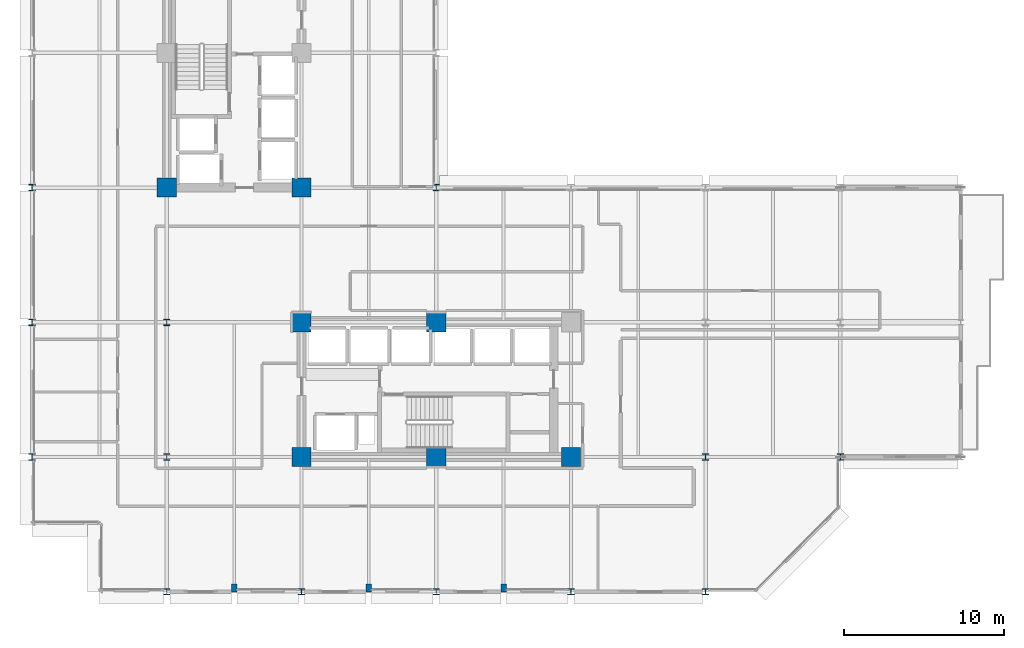
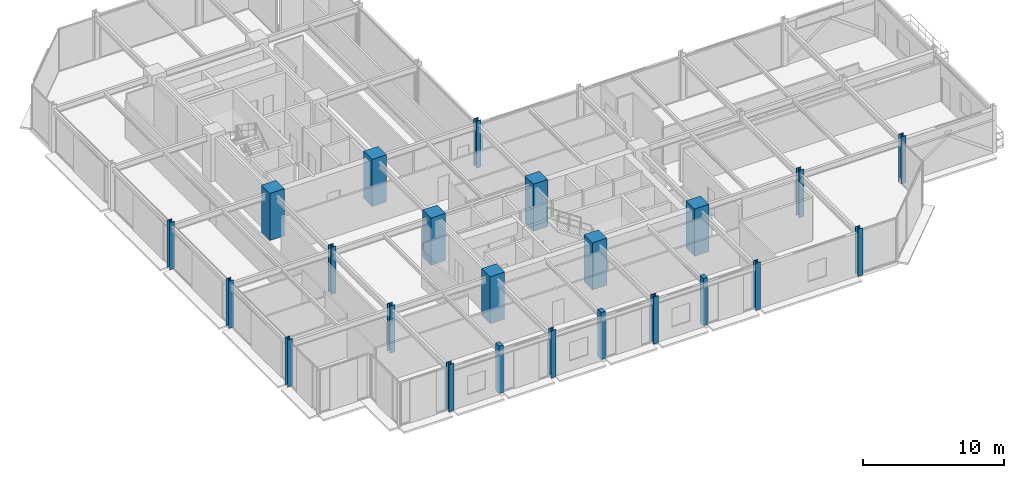
# One storey, part 1 of 40: 23 columns.
"""IFC4 building model written with IfcOpenShell, lengths in metres."""

import ifcopenshell
import ifcopenshell.guid

model = None  # the IFC model being written
_history = None  # IfcOwnerHistory: only IFC2X3 demands one
_inside = {}  # id of a spatial element -> (the spatial element, [elements in it])
_under = {}  # id of a project, library or spatial element -> (it, [spatial elements below it])
_declared = {}  # id of a project -> (the project, [libraries it declares])
_typed = {}  # id of a type object -> (the type object, [elements of that type])
_made_of = {}  # id of a material, layer set ... -> (it, [elements and type objects made of it])


def new_model(schema):
    """Start an empty IFC model of exactly this schema.

    Asked for "IFC4X3", IfcOpenShell would pick the latest addendum, in which some entities
    have other attributes; the version numbers below select the first issue.
    IFC2X3 requires an IfcOwnerHistory on every rooted entity: one is made here for all.
    """
    global model, _history
    if schema == "IFC4X3":
        model = ifcopenshell.file(schema_version=(4, 3, 0, 0))
    else:
        model = ifcopenshell.file(schema=schema)
    _inside.clear()
    _under.clear()
    _declared.clear()
    _typed.clear()
    _made_of.clear()
    _history = None
    if model.schema == "IFC2X3":
        org = make("IfcOrganization", Name="unknown")
        user = make(
            "IfcPersonAndOrganization",
            ThePerson=make("IfcPerson", FamilyName="unknown"),
            TheOrganization=org,
        )
        app = make(
            "IfcApplication",
            ApplicationDeveloper=org,
            Version="unknown",
            ApplicationFullName="unknown",
            ApplicationIdentifier="unknown",
        )
        _history = make(
            "IfcOwnerHistory",
            OwningUser=user,
            OwningApplication=app,
            ChangeAction="ADDED",
            CreationDate=0,
        )
    return model


def make(cls, **values):
    """One entity of the class cls with the attributes given. An attribute that is None is left unset."""
    return model.create_entity(
        cls, **{name: value for name, value in values.items() if value is not None}
    )


def rooted(cls, **values):
    """An entity with a GlobalId (a new one), such as an element, a storey or a relation."""
    return make(cls, GlobalId=ifcopenshell.guid.new(), OwnerHistory=_history, **values)


def si_unit(unit_type, name, prefix=None):
    """IfcSIUnit, for example si_unit("LENGTHUNIT", "METRE", prefix="MILLI")."""
    return make("IfcSIUnit", UnitType=unit_type, Prefix=prefix, Name=name)


def assignment(units):
    """IfcUnitAssignment: the units of a project."""
    return None if units is None else make("IfcUnitAssignment", Units=units)


def point(xyz):
    """IfcCartesianPoint."""
    return None if xyz is None else make("IfcCartesianPoint", Coordinates=xyz)


def direction(xyz):
    """IfcDirection."""
    return None if xyz is None else make("IfcDirection", DirectionRatios=xyz)


def frame(location, z_axis=None, x_axis=None):
    """IfcAxis2Placement3D, a coordinate frame: its origin and axes. An axis left out is left unset."""
    return make(
        "IfcAxis2Placement3D",
        Location=point(location),
        Axis=direction(z_axis),
        RefDirection=direction(x_axis),
    )


def frame_2d(location, x_axis=None):
    """IfcAxis2Placement2D, a coordinate frame in the plane: its origin and x axis."""
    return make(
        "IfcAxis2Placement2D", Location=point(location), RefDirection=direction(x_axis)
    )


def origin():
    """The frame at (0, 0, 0) with its axes left unset."""
    return frame((0.0, 0.0, 0.0))


def origin_2d():
    """The frame at (0, 0) in the plane with its x axis left unset."""
    return frame_2d((0.0, 0.0))


def place(relative_to, where):
    """IfcLocalPlacement: puts the frame where relative to a parent placement (None: the world)."""
    return make(
        "IfcLocalPlacement", PlacementRelTo=relative_to, RelativePlacement=where
    )


def context(
    kind, dimensions, precision=None, world=None, true_north=None, identifier=None
):
    """IfcGeometricRepresentationContext, for example the 3D "Model" context."""
    return make(
        "IfcGeometricRepresentationContext",
        ContextIdentifier=identifier,
        ContextType=kind,
        CoordinateSpaceDimension=dimensions,
        Precision=precision,
        WorldCoordinateSystem=world,
        TrueNorth=true_north,
    )


def subcontext(parent, identifier, kind, view, scale=None):
    """IfcGeometricRepresentationSubContext, for example "Body" below "Model"."""
    return make(
        "IfcGeometricRepresentationSubContext",
        ContextIdentifier=identifier,
        ContextType=kind,
        ParentContext=parent,
        TargetScale=scale,
        TargetView=view,
    )


def project(units=None, contexts=None):
    """IfcProject with its units and contexts."""
    return rooted(
        "IfcProject",
        Name="project",
        RepresentationContexts=contexts,
        UnitsInContext=assignment(units),
    )


def spatial(cls, under=None, at=None, **own):
    """A site, building, storey or space (cls), placed at a placement, below another one or the project."""
    s = rooted(cls, ObjectPlacement=at, **own)
    if under is not None:
        _under.setdefault(under.id(), (under, []))[1].append(s)
    return s


def profile(cls, at=None, kind="AREA", **sizes):
    """A parametric profile (cls). Its sizes go by their IFC names, for example OverallWidth=200.0."""
    return make(cls, ProfileType=kind, Position=at, **sizes)


def rectangle(**sizes):
    """IfcRectangleProfileDef."""
    return profile("IfcRectangleProfileDef", **sizes)


def i_section(**sizes):
    """IfcIShapeProfileDef."""
    return profile("IfcIShapeProfileDef", **sizes)


def extrude(swept, where, along, depth):
    """IfcExtrudedAreaSolid: the profile swept, set in the frame where, extruded along a direction by depth."""
    return make(
        "IfcExtrudedAreaSolid",
        SweptArea=swept,
        Position=where,
        ExtrudedDirection=direction(along),
        Depth=depth,
    )


def shape(context_of_items, identifier, shape_type, items):
    """IfcShapeRepresentation: the items that make up one representation, for example the "Body"."""
    return make(
        "IfcShapeRepresentation",
        ContextOfItems=context_of_items,
        RepresentationIdentifier=identifier,
        RepresentationType=shape_type,
        Items=items,
    )


def material(Name=None, Category=None):
    """IfcMaterial."""
    return make("IfcMaterial", Name=Name, Category=Category)


def material_profile(
    of_material, cross_section, Name=None, Category=None, Priority=None
):
    """IfcMaterialProfile: a cross section and its material."""
    return make(
        "IfcMaterialProfile",
        Name=Name,
        Material=of_material,
        Profile=cross_section,
        Priority=Priority,
        Category=Category,
    )


def profile_set(profiles, Name=None, composite=None):
    """IfcMaterialProfileSet."""
    return make(
        "IfcMaterialProfileSet",
        Name=Name,
        MaterialProfiles=profiles,
        CompositeProfile=composite,
    )


def made_of(thing, what):
    """Note that an element or type object is made of a material, layer set ...; save() writes the relation."""
    if what is not None:
        _made_of.setdefault(what.id(), (what, []))[1].append(thing)
    return thing


def type_object(cls, material=None, **own):
    """A type object (cls), such as IfcWallType, which elements share."""
    return made_of(rooted(cls, **own), material)


def element(
    cls,
    number,
    at=None,
    inside=None,
    cuts=None,
    type_object=None,
    material=None,
    context=None,
    identifier="Body",
    shape_type=None,
    held_by="IfcProductDefinitionShape",
    body=None,
    shapes=None,
    **own,
):
    """One element of the class cls, such as IfcWall. Its Tag is "e" and its number.

    at: its placement. inside: the storey or other place that contains it. cuts: it is an
    opening in that element (IfcRelVoidsElement). A single representation is given by context,
    identifier, shape_type and body (its items); several are given by shapes. held_by: the class
    of the entity that holds the representations. save() writes the other relations.
    """
    e = rooted(cls, Tag="e%d" % number, ObjectPlacement=at, **own)
    if body is not None:
        shapes = [shape(context, identifier, shape_type, body)]
    if shapes is not None:
        e.Representation = make(held_by, Representations=shapes)
    if inside is not None:
        _inside.setdefault(inside.id(), (inside, []))[1].append(e)
    if cuts is not None:
        rooted(
            "IfcRelVoidsElement", RelatingBuildingElement=cuts, RelatedOpeningElement=e
        )
    if type_object is not None:
        _typed.setdefault(type_object.id(), (type_object, []))[1].append(e)
    return made_of(e, material)


def aggregate(whole, parts):
    """IfcRelAggregates: a whole, such as a stair, and the parts it consists of."""
    return rooted("IfcRelAggregates", RelatingObject=whole, RelatedObjects=parts)


def save(model, path):
    """Write the relations noted so far, then the file.

    IfcRelAggregates (storeys below a building ...), IfcRelContainedInSpatialStructure (elements
    in a storey), IfcRelDefinesByType, IfcRelAssociatesMaterial and IfcRelDeclares: one each for
    every whole, place, type object, material and project.
    """
    for whole, parts in _under.values():
        aggregate(whole, parts)
    for where, things in _inside.values():
        rooted(
            "IfcRelContainedInSpatialStructure",
            RelatedElements=things,
            RelatingStructure=where,
        )
    for kind, things in _typed.values():
        rooted("IfcRelDefinesByType", RelatedObjects=things, RelatingType=kind)
    for what, things in _made_of.values():
        rooted("IfcRelAssociatesMaterial", RelatedObjects=things, RelatingMaterial=what)
    for by, libraries in _declared.values():
        rooted("IfcRelDeclares", RelatingContext=by, RelatedDefinitions=libraries)
    model.write(path)


model = new_model("IFC4")

# Units and contexts
model_context = context("Model", 3, precision=1e-05, world=origin(), true_north=direction((0.0, 1.0)))
body_context = subcontext(model_context, "Body", "Model", "MODEL_VIEW")
ifc_project = project(units=[si_unit("LENGTHUNIT", "METRE"), si_unit("AREAUNIT", "SQUARE_METRE"), si_unit("VOLUMEUNIT", "CUBIC_METRE"), si_unit("PLANEANGLEUNIT", "RADIAN"), si_unit("MASSUNIT", "GRAM", prefix="KILO")], contexts=[model_context])

# Site, building, storey
site_placement = place(None, origin())
site = spatial("IfcSite", under=ifc_project, at=site_placement, CompositionType="ELEMENT")
building_placement = place(site_placement, origin())
building = spatial("IfcBuilding", under=site, at=building_placement, Name="Nerrivon Quay Data Exchange", CompositionType="ELEMENT")
storey_placement = place(building_placement, frame((0.0, 0.0, 109.0)))
storey = spatial("IfcBuildingStorey", under=building, at=storey_placement, Name="L25", CompositionType="ELEMENT", Elevation=109.0)

# Columns
ifc_material_1 = material(Name="Concrete S65 (65 MPa)", Category="concrete")
ifc_material_profile_1 = material_profile(ifc_material_1, rectangle(XDim=1.199951171875, YDim=1.199951171875, at=origin_2d()), Name="RC-COL-1200x1200")
ifc_profile_set_1 = profile_set([ifc_material_profile_1], Name="Concrete S65 (65 MPa)")
column_type_1 = type_object("IfcColumnType", Name="COL-C3-1200", PredefinedType="COLUMN", material=ifc_profile_set_1)
for number, where, z_axis, x_axis, name in (
    (1, (8.39990234375, 25.199951171875, 0.0), (0.0, 0.0, 1.0), (1.0, 0.0, 0.0), "L25 Column (8.4,25.2)"),
    (2, (16.800048828125, 8.39990234375, 0.0), (0.0, 0.0, 1.0), (1.0, 0.0, 0.0), "L25 Column (16.8,8.4)"),
    (3, (16.800048828125, 16.800048828125, 0.0), (0.0, 0.0, 1.0), (1.0, 0.0, 0.0), "L25 Column (16.8,16.8)"),
    (4, (16.800048828125, 25.199951171875, 0.0), (0.0, 0.0, 1.0), (1.0, 0.0, 0.0), "L25 Column (16.8,25.2)"),
    (5, (25.199951171875, 8.39990234375, 0.0), (0.0, 0.0, 1.0), (1.0, 0.0, 0.0), "L25 Column (25.2,8.4)"),
    (6, (25.199951171875, 16.800048828125, 0.0), (0.0, 0.0, 1.0), (1.0, 0.0, 0.0), "L25 Column (25.2,16.8)"),
    (7, (33.60009765625, 8.39990234375, 0.0), (0.0, 0.0, 1.0), (1.0, 0.0, 0.0), "L25 Column (33.6,8.4)"),
):
    element("IfcColumn", number, at=place(storey_placement, frame(where, z_axis=z_axis, x_axis=x_axis)), inside=storey, type_object=column_type_1, Name=name, PredefinedType="COLUMN", context=body_context, shape_type="SweptSolid", body=[
        extrude(rectangle(XDim=1.199951171875, YDim=1.199951171875, at=origin_2d()), origin(), (0.0, 0.0, 1.0), 4.10009765625),
    ])
ifc_material_2 = material(Name="Steel Grade 350", Category="steel")
ifc_material_profile_2 = material_profile(ifc_material_2, i_section(OverallWidth=0.39990234375, OverallDepth=0.39990234375, WebThickness=0.02490234375, FlangeThickness=0.0400390625, at=origin_2d()), Name="400WC328")
ifc_profile_set_2 = profile_set([ifc_material_profile_2], Name="Steel Grade 350")
column_type_2 = type_object("IfcColumnType", Name="COL-SC2-400WC", PredefinedType="COLUMN", material=ifc_profile_set_2)
for number, where, z_axis, x_axis, name in (
    (8, (0.0, 8.39990234375, 0.0), (0.0, 0.0, 1.0), (1.0, 0.0, 0.0), "L25 Column (0.0,8.4)"),
    (9, (0.0, 16.800048828125, 0.0), (0.0, 0.0, 1.0), (1.0, 0.0, 0.0), "L25 Column (0.0,16.8)"),
    (10, (0.0, 25.199951171875, 0.0), (0.0, 0.0, 1.0), (1.0, 0.0, 0.0), "L25 Column (0.0,25.2)"),
    (11, (8.39990234375, 0.0, 0.0), (0.0, 0.0, 1.0), (1.0, 0.0, 0.0), "L25 Column (8.4,0.0)"),
    (12, (8.39990234375, 8.39990234375, 0.0), (0.0, 0.0, 1.0), (1.0, 0.0, 0.0), "L25 Column (8.4,8.4)"),
    (13, (8.39990234375, 16.800048828125, 0.0), (0.0, 0.0, 1.0), (1.0, 0.0, 0.0), "L25 Column (8.4,16.8)"),
    (14, (16.800048828125, 0.0, 0.0), (0.0, 0.0, 1.0), (1.0, 0.0, 0.0), "L25 Column (16.8,0.0)"),
    (15, (25.199951171875, 0.0, 0.0), (0.0, 0.0, 1.0), (1.0, 0.0, 0.0), "L25 Column (25.2,0.0)"),
    (16, (25.199951171875, 25.199951171875, 0.0), (0.0, 0.0, 1.0), (1.0, 0.0, 0.0), "L25 Column (25.2,25.2)"),
    (17, (33.60009765625, 0.0, 0.0), (0.0, 0.0, 1.0), (1.0, 0.0, 0.0), "L25 Column (33.6,0.0)"),
    (18, (42.0, 0.0, 0.0), (0.0, 0.0, 1.0), (1.0, 0.0, 0.0), "L25 Column (42.0,0.0)"),
    (19, (42.0, 8.39990234375, 0.0), (0.0, 0.0, 1.0), (1.0, 0.0, 0.0), "L25 Column (42.0,8.4)"),
    (20, (50.39990234375, 8.39990234375, 0.0), (0.0, 0.0, 1.0), (1.0, 0.0, 0.0), "L25 Column (50.4,8.4)"),
):
    element("IfcColumn", number, at=place(storey_placement, frame(where, z_axis=z_axis, x_axis=x_axis)), inside=storey, type_object=column_type_2, Name=name, PredefinedType="COLUMN", context=body_context, shape_type="SweptSolid", body=[
        extrude(i_section(OverallWidth=0.39990234375, OverallDepth=0.39990234375, WebThickness=0.02490234375, FlangeThickness=0.0400390625, at=origin_2d()), origin(), (0.0, 0.0, 1.0), 4.10009765625),
    ])
ifc_material_3 = material(Name="Concrete N50 (50 MPa)", Category="concrete")
ifc_material_profile_3 = material_profile(ifc_material_3, rectangle(XDim=0.35009765625, YDim=0.5, at=origin_2d()), Name="RC-PIL-500x350")
ifc_profile_set_3 = profile_set([ifc_material_profile_3], Name="Concrete N50 (50 MPa)")
column_type_3 = type_object("IfcColumnType", Name="PIL-P2-500x350", PredefinedType="PILASTER", material=ifc_profile_set_3)
for number, where, z_axis, x_axis, name in (
    (21, (12.60009765625, 0.25, 0.0), (0.0, 0.0, 1.0), (1.0, 0.0, 0.0), "L25 Facade Pilaster (12.6)"),
    (22, (21.0, 0.25, 0.0), (0.0, 0.0, 1.0), (1.0, 0.0, 0.0), "L25 Facade Pilaster (21.0)"),
    (23, (29.39990234375, 0.25, 0.0), (0.0, 0.0, 1.0), (1.0, 0.0, 0.0), "L25 Facade Pilaster (29.4)"),
):
    element("IfcColumn", number, at=place(storey_placement, frame(where, z_axis=z_axis, x_axis=x_axis)), inside=storey, type_object=column_type_3, Name=name, PredefinedType="PILASTER", context=body_context, shape_type="SweptSolid", body=[
        extrude(rectangle(XDim=0.35009765625, YDim=0.5, at=origin_2d()), origin(), (0.0, 0.0, 1.0), 4.10009765625),
    ])

save(model, "model.ifc")
